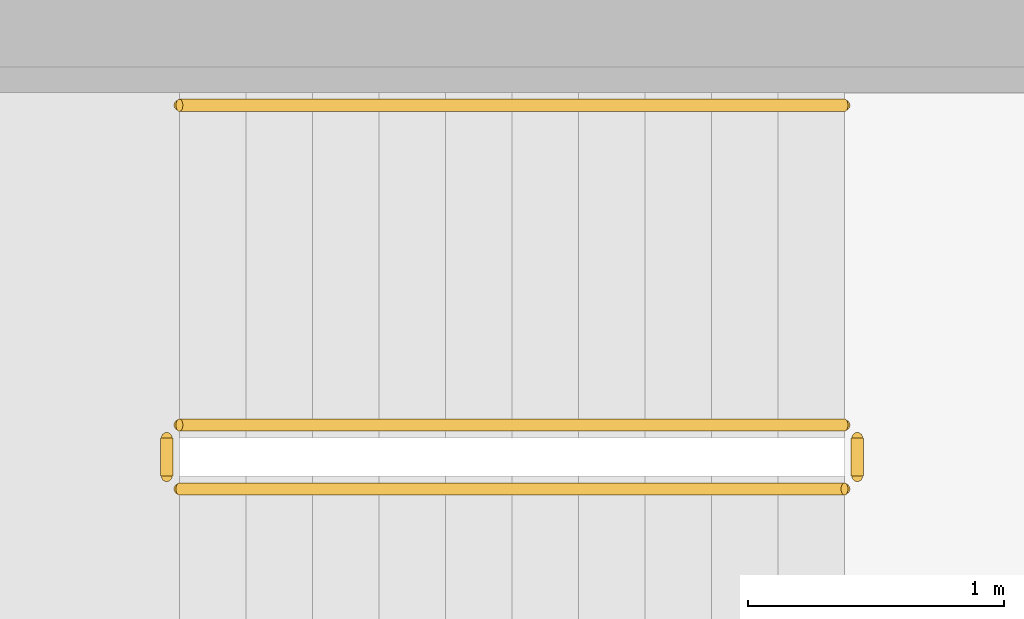
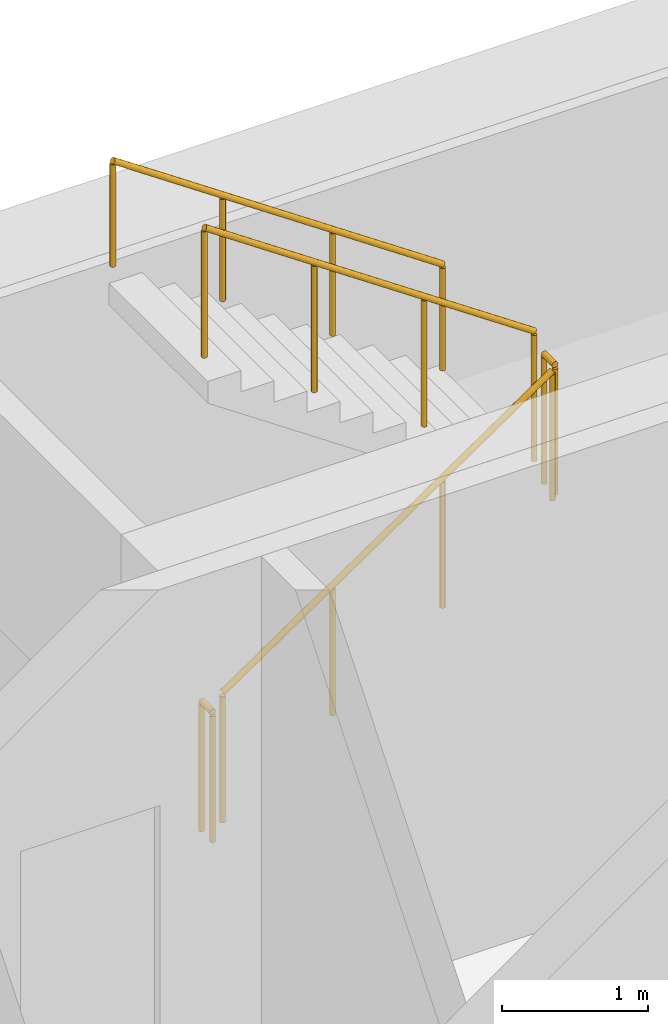
# One storey, part 9 of 9: 5 railings.
"""IFC4 building model written with IfcOpenShell, lengths in metres."""

from ifc_helpers import new_model, si_unit, direction, frame, origin, origin_2d, place, context, subcontext, project, spatial, circle, extrude, material, type_object, element, save


model = new_model("IFC4")

# Units and contexts
model_context = context("Model", 3, precision=1e-05, world=origin(), true_north=direction((0.0, 1.0)))
body_context = subcontext(model_context, "Body", "Model", "MODEL_VIEW")
ifc_project = project(units=[si_unit("LENGTHUNIT", "METRE"), si_unit("AREAUNIT", "SQUARE_METRE"), si_unit("VOLUMEUNIT", "CUBIC_METRE"), si_unit("PLANEANGLEUNIT", "RADIAN"), si_unit("MASSUNIT", "GRAM", prefix="KILO")], contexts=[model_context])

# Site, building, storey
site_placement = place(None, origin())
site = spatial("IfcSite", under=ifc_project, at=site_placement, CompositionType="ELEMENT")
building_placement = place(site_placement, origin())
building = spatial("IfcBuilding", under=site, at=building_placement, Name="White Candle Pilgrim Tower", CompositionType="ELEMENT")
storey_placement = place(building_placement, frame((0.0, 0.0, 223.800048828125)))
storey = spatial("IfcBuildingStorey", under=building, at=storey_placement, Name="L52", CompositionType="ELEMENT", Elevation=223.800048828125)

# Railings
ifc_material = material(Name="Stainless steel", Category="steel")
railing_type_1 = type_object("IfcRailingType", Name="Stair guard stainless steel 1100 mm", PredefinedType="GUARDRAIL", material=ifc_material)
railing_1_placement = place(storey_placement, frame((69.39990234375, 85.550048828125, 0.17724609375)))
element("IfcRailing", 1, at=railing_1_placement, inside=storey, type_object=railing_type_1, Name="L52 ST3 stair guard 1", PredefinedType="GUARDRAIL", context=body_context, shape_type="SweptSolid", body=[
    extrude(circle(Radius=0.02392578125, at=origin_2d()), frame((0.0, 0.0, 1.076171875), z_axis=(0.826240473404, 0.0, 0.563317565952), x_axis=(0.0, 1.0, 0.0)), (0.0, 0.0, 1.0), 3.14697265625),
    extrude(circle(Radius=0.02099609375, at=origin_2d()), origin(), (0.0, 0.0, 1.0), 1.052001953125),
    extrude(circle(Radius=0.02099609375, at=origin_2d()), frame((0.86669921875, 0.0, 0.5908203125)), (0.0, 0.0, 1.0), 1.052001953125),
    extrude(circle(Radius=0.02099609375, at=origin_2d()), frame((1.7333984375, 0.0, 1.181884765625)), (0.0, 0.0, 1.0), 1.052001953125),
    extrude(circle(Radius=0.02099609375, at=origin_2d()), frame((2.60009765625, 0.0, 1.772705078125)), (0.0, 0.0, 1.0), 1.052001953125),
])
railing_2_placement = place(storey_placement, frame((72.050048828125, 85.60009765625, 1.949951171875)))
element("IfcRailing", 2, at=railing_2_placement, inside=storey, type_object=railing_type_1, Name="L52 ST3 stair guard 2", PredefinedType="GUARDRAIL", context=body_context, shape_type="SweptSolid", body=[
    extrude(circle(Radius=0.02392578125, at=origin_2d()), frame((0.0, 0.0, 1.076171875), z_axis=(0.0, 1.0, 0.0), x_axis=(-1.0, 0.0, 0.0)), (0.0, 0.0, 1.0), 0.14990234375),
    extrude(circle(Radius=0.02099609375, at=origin_2d()), origin(), (0.0, 0.0, 1.0), 1.052001953125),
    extrude(circle(Radius=0.02099609375, at=origin_2d()), frame((0.0, 0.14990234375, 0.0)), (0.0, 0.0, 1.0), 1.052001953125),
])
railing_3_placement = place(storey_placement, frame((72.0, 85.800048828125, 2.127197265625)))
element("IfcRailing", 3, at=railing_3_placement, inside=storey, type_object=railing_type_1, Name="L52 ST3 stair guard 3", PredefinedType="GUARDRAIL", context=body_context, shape_type="SweptSolid", body=[
    extrude(circle(Radius=0.02392578125, at=origin_2d()), frame((0.0, 0.0, 1.076171875), z_axis=(-0.826240473404, 0.0, 0.563317565952), x_axis=(0.0, -1.0, 0.0)), (0.0, 0.0, 1.0), 3.14697265625),
    extrude(circle(Radius=0.02099609375, at=origin_2d()), origin(), (0.0, 0.0, 1.0), 1.052001953125),
    extrude(circle(Radius=0.02099609375, at=origin_2d()), frame((-0.86669921875, 0.0, 0.5908203125)), (0.0, 0.0, 1.0), 1.052001953125),
    extrude(circle(Radius=0.02099609375, at=origin_2d()), frame((-1.7333984375, 0.0, 1.181884765625)), (0.0, 0.0, 1.0), 1.052001953125),
    extrude(circle(Radius=0.02099609375, at=origin_2d()), frame((-2.60009765625, 0.0, 1.772705078125)), (0.0, 0.0, 1.0), 1.052001953125),
])
railing_4_placement = place(storey_placement, frame((69.35009765625, 85.60009765625, 0.0)))
element("IfcRailing", 4, at=railing_4_placement, inside=storey, type_object=railing_type_1, Name="L52 ST3 stair guard 4", PredefinedType="GUARDRAIL", context=body_context, shape_type="SweptSolid", body=[
    extrude(circle(Radius=0.02392578125, at=origin_2d()), frame((0.0, 0.0, 1.076171875), z_axis=(0.0, 1.0, 0.0), x_axis=(-1.0, 0.0, 0.0)), (0.0, 0.0, 1.0), 0.14990234375),
    extrude(circle(Radius=0.02099609375, at=origin_2d()), origin(), (0.0, 0.0, 1.0), 1.052001953125),
    extrude(circle(Radius=0.02099609375, at=origin_2d()), frame((0.0, 0.14990234375, 0.0)), (0.0, 0.0, 1.0), 1.052001953125),
])
railing_type_2 = type_object("IfcRailingType", Name="Stair handrail stainless steel", PredefinedType="HANDRAIL", material=ifc_material)
railing_5_placement = place(storey_placement, frame((72.0, 87.050048828125, 2.127197265625)))
element("IfcRailing", 5, at=railing_5_placement, inside=storey, type_object=railing_type_2, Name="L52 ST3 stair handrail 2", PredefinedType="HANDRAIL", context=body_context, shape_type="SweptSolid", body=[
    extrude(circle(Radius=0.02392578125, at=origin_2d()), frame((0.0, 0.0, 0.8759765625), z_axis=(-0.826240473404, 0.0, 0.563317565952), x_axis=(0.0, -1.0, 0.0)), (0.0, 0.0, 1.0), 3.14697265625),
    extrude(circle(Radius=0.02099609375, at=origin_2d()), origin(), (0.0, 0.0, 1.0), 0.851806640625),
    extrude(circle(Radius=0.02099609375, at=origin_2d()), frame((-0.86669921875, 0.0, 0.5908203125)), (0.0, 0.0, 1.0), 0.851806640625),
    extrude(circle(Radius=0.02099609375, at=origin_2d()), frame((-1.7333984375, 0.0, 1.181884765625)), (0.0, 0.0, 1.0), 0.851806640625),
    extrude(circle(Radius=0.02099609375, at=origin_2d()), frame((-2.60009765625, 0.0, 1.772705078125)), (0.0, 0.0, 1.0), 0.851806640625),
])

save(model, "model.ifc")
